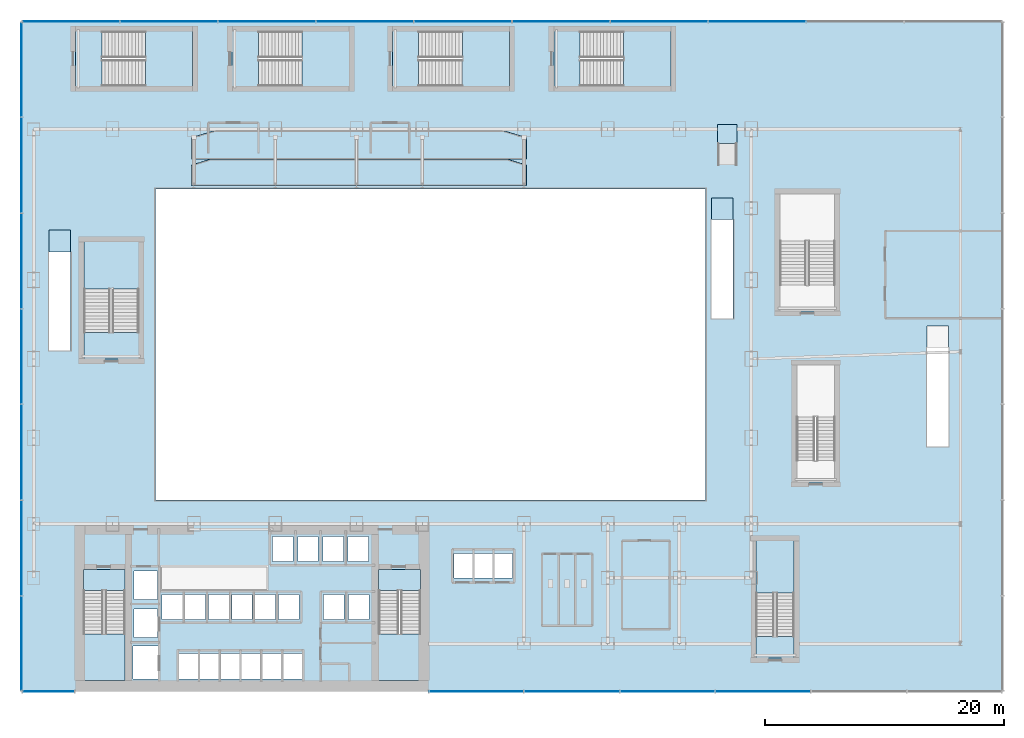
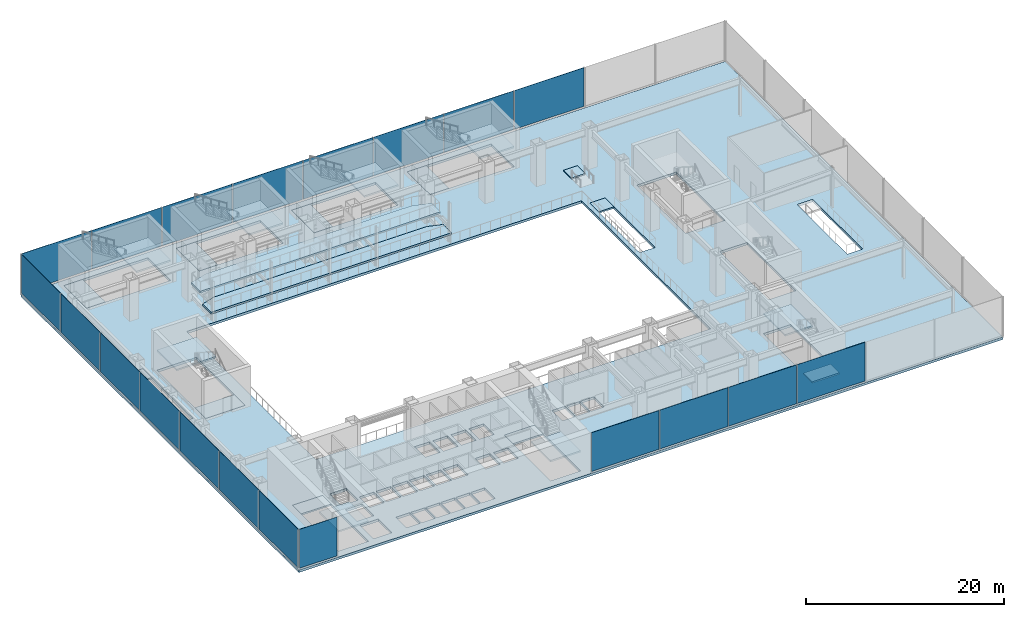
# One storey, part 27 of 39: 22 slabs, 20 plates, 13 elements without a shape of their own.
"""IFC4 building model written with IfcOpenShell, lengths in metres."""

from ifc_helpers import new_model, si_unit, derived_unit, direction, frame, origin, origin_2d, place, context, subcontext, project, spatial, polyline, rectangle, outline, extrude, source, transform, mapped, material, layer, layer_set, type_object, element, aggregate, save


model = new_model("IFC4")

# Units and contexts
model_context = context("Model", 3, precision=1e-05, world=origin(), true_north=direction((0.0, 1.0)))
body_context = subcontext(model_context, "Body", "Model", "MODEL_VIEW")
ifc_project = project(units=[si_unit("LENGTHUNIT", "METRE"), si_unit("AREAUNIT", "SQUARE_METRE"), si_unit("VOLUMEUNIT", "CUBIC_METRE"), si_unit("PLANEANGLEUNIT", "RADIAN"), si_unit("MASSUNIT", "GRAM", prefix="KILO"), derived_unit("THERMALTRANSMITTANCEUNIT", [(si_unit("POWERUNIT", "WATT"), 1), (si_unit("LENGTHUNIT", "METRE"), -2), (si_unit("THERMODYNAMICTEMPERATUREUNIT", "KELVIN"), -1)])], contexts=[model_context])

# Site, building, storey
site_placement = place(None, origin())
site = spatial("IfcSite", under=ifc_project, at=site_placement, CompositionType="ELEMENT")
building_placement = place(site_placement, origin())
building = spatial("IfcBuilding", under=site, at=building_placement, Name="Skarnbrae Concourse Arena and Tower", CompositionType="ELEMENT")
storey_placement = place(building_placement, frame((0.0, 0.0, 11.0)))
storey = spatial("IfcBuildingStorey", under=building, at=storey_placement, Name="L02", CompositionType="ELEMENT", Elevation=11.0)

# Stair, slab
ifc_material_1 = material(Name="Concrete 40 MPa (C40/50)", Category="concrete")
stair_type_1 = type_object("IfcStairType", Name="STAIR-DOGLEG-1650", PredefinedType="HALF_TURN_STAIR", material=ifc_material_1)
stair_1_placement = place(storey_placement, origin())
stair_1 = element("IfcStair", 1, at=stair_1_placement, inside=storey, type_object=stair_type_1, Name="L02 Protected Exit Stair ST-1", PredefinedType="HALF_TURN_STAIR")
ifc_layer_1 = layer(ifc_material_1, 0.199951171875)
ifc_layer_set_1 = layer_set([ifc_layer_1], Name="Concrete 40 MPa (C40/50)")
slab_type_1 = type_object("IfcSlabType", Name="SLAB-LANDING-200", PredefinedType="LANDING", material=ifc_layer_set_1)
slab_1_placement = place(storey_placement, frame((0.0, 0.0, 2.300048828125)))
slab_1 = element("IfcSlab", 2, at=slab_1_placement, type_object=slab_type_1, Name="ST-1 landing 1", PredefinedType="LANDING", context=body_context, shape_type="SweptSolid", body=[
    extrude(outline(polyline([(5.14990234375, 4.81005859375), (5.14990234375, 0.89990234375), (8.64990234375, 0.89990234375), (8.64990234375, 4.81005859375), (5.14990234375, 4.81005859375)])), origin(), (0.0, 0.0, 1.0), 0.199951171875),
])
aggregate(stair_1, [slab_1])

stair_2_placement = place(storey_placement, origin())
stair_2 = element("IfcStair", 3, at=stair_2_placement, inside=storey, type_object=stair_type_1, Name="L02 Protected Exit Stair ST-2", PredefinedType="HALF_TURN_STAIR")
slab_2_placement = place(storey_placement, frame((0.0, 0.0, 2.300048828125)))
slab_2 = element("IfcSlab", 4, at=slab_2_placement, type_object=slab_type_1, Name="ST-2 landing 1", PredefinedType="LANDING", context=body_context, shape_type="SweptSolid", body=[
    extrude(outline(polyline([(29.85009765625, 4.81005859375), (29.85009765625, 0.89990234375), (33.35009765625, 0.89990234375), (33.35009765625, 4.81005859375), (29.85009765625, 4.81005859375)])), origin(), (0.0, 0.0, 1.0), 0.199951171875),
])
aggregate(stair_2, [slab_2])

# Slabs
slab_3_placement = place(storey_placement, frame((0.0, 0.0, -0.199951171875)))
element("IfcSlab", 5, at=slab_3_placement, inside=storey, type_object=slab_type_1, Name="L02 Core stair ST1 floor landing", PredefinedType="LANDING", context=body_context, shape_type="SweptSolid", body=[
    extrude(outline(polyline([(5.14990234375, 10.199951171875), (5.14990234375, 8.449951171875), (8.64990234375, 8.449951171875), (8.64990234375, 10.199951171875), (5.14990234375, 10.199951171875)])), origin(), (0.0, 0.0, 1.0), 0.199951171875),
])
slab_4_placement = place(storey_placement, frame((0.0, 0.0, -0.199951171875)))
element("IfcSlab", 6, at=slab_4_placement, inside=storey, type_object=slab_type_1, Name="L02 Core stair ST2 floor landing", PredefinedType="LANDING", context=body_context, shape_type="SweptSolid", body=[
    extrude(outline(polyline([(29.85009765625, 10.199951171875), (29.85009765625, 8.449951171875), (33.35009765625, 8.449951171875), (33.35009765625, 10.199951171875), (29.85009765625, 10.199951171875)])), origin(), (0.0, 0.0, 1.0), 0.199951171875),
])
slab_5_placement = place(storey_placement, frame((0.0, 0.0, -0.199951171875)))
element("IfcSlab", 7, at=slab_5_placement, inside=storey, type_object=slab_type_1, Name="L02 Stair ST-A1 near floor landing", PredefinedType="LANDING", context=body_context, shape_type="SweptSolid", body=[
    extrude(outline(polyline([(64.60009765625, 2.800048828125), (64.60009765625, 4.60009765625), (61.39990234375, 4.60009765625), (61.39990234375, 2.800048828125), (64.60009765625, 2.800048828125)])), origin(), (0.0, 0.0, 1.0), 0.199951171875),
])

# Stair, slab
stair_type_2 = type_object("IfcStairType", Name="STAIR-DOGLEG-1500", PredefinedType="HALF_TURN_STAIR", material=ifc_material_1)
stair_3_placement = place(storey_placement, origin())
stair_3 = element("IfcStair", 8, at=stair_3_placement, inside=storey, type_object=stair_type_2, Name="L02 Arena Exit Stair ST-A1", PredefinedType="HALF_TURN_STAIR")
slab_6_placement = place(storey_placement, frame((0.0, 0.0, 2.300048828125)))
slab_6 = element("IfcSlab", 9, at=slab_6_placement, type_object=slab_type_1, Name="ST-A1 landing 1", PredefinedType="LANDING", context=body_context, shape_type="SweptSolid", body=[
    extrude(outline(polyline([(64.60009765625, 8.239990234375), (64.60009765625, 12.60009765625), (61.39990234375, 12.60009765625), (61.39990234375, 8.239990234375), (64.60009765625, 8.239990234375)])), origin(), (0.0, 0.0, 1.0), 0.199951171875),
])
aggregate(stair_3, [slab_6])

# Slab
slab_7_placement = place(storey_placement, frame((0.0, 0.0, -0.199951171875)))
element("IfcSlab", 10, at=slab_7_placement, inside=storey, type_object=slab_type_1, Name="L02 Stair ST-A3 near floor landing", PredefinedType="LANDING", context=body_context, shape_type="SweptSolid", body=[
    extrude(outline(polyline([(9.800048828125, 27.800048828125), (9.800048828125, 30.0), (5.199951171875, 30.0), (5.199951171875, 27.800048828125), (9.800048828125, 27.800048828125)])), origin(), (0.0, 0.0, 1.0), 0.199951171875),
])

# Stair, slab
stair_type_3 = type_object("IfcStairType", Name="STAIR-DOGLEG-2200", PredefinedType="HALF_TURN_STAIR", material=ifc_material_1)
stair_4_placement = place(storey_placement, origin())
stair_4 = element("IfcStair", 11, at=stair_4_placement, inside=storey, type_object=stair_type_3, Name="L02 Arena Exit Stair ST-A3", PredefinedType="HALF_TURN_STAIR")
slab_8_placement = place(storey_placement, frame((0.0, 0.0, 2.300048828125)))
slab_8 = element("IfcSlab", 12, at=slab_8_placement, type_object=slab_type_1, Name="ST-A3 landing 1", PredefinedType="LANDING", context=body_context, shape_type="SweptSolid", body=[
    extrude(outline(polyline([(9.800048828125, 33.639892578125), (9.800048828125, 37.60009765625), (5.199951171875, 37.60009765625), (5.199951171875, 33.639892578125), (9.800048828125, 33.639892578125)])), origin(), (0.0, 0.0, 1.0), 0.199951171875),
])
aggregate(stair_4, [slab_8])

# Slab
slab_9_placement = place(storey_placement, frame((0.0, 0.0, -0.199951171875)))
element("IfcSlab", 13, at=slab_9_placement, inside=storey, type_object=slab_type_1, Name="L02 Stair ST-A5 near floor landing", PredefinedType="LANDING", context=body_context, shape_type="SweptSolid", body=[
    extrude(outline(polyline([(4.5, 50.60009765625), (6.699951171875, 50.60009765625), (6.699951171875, 55.199951171875), (4.5, 55.199951171875), (4.5, 50.60009765625)])), origin(), (0.0, 0.0, 1.0), 0.199951171875),
])

# Stair, slab
stair_5_placement = place(storey_placement, origin())
stair_5 = element("IfcStair", 14, at=stair_5_placement, inside=storey, type_object=stair_type_3, Name="L02 Arena Exit Stair ST-A5", PredefinedType="HALF_TURN_STAIR")
slab_10_placement = place(storey_placement, frame((0.0, 0.0, 2.300048828125)))
slab_10 = element("IfcSlab", 15, at=slab_10_placement, type_object=slab_type_1, Name="ST-A5 landing 1", PredefinedType="LANDING", context=body_context, shape_type="SweptSolid", body=[
    extrude(outline(polyline([(10.340087890625, 50.60009765625), (14.300048828125, 50.60009765625), (14.300048828125, 55.199951171875), (10.340087890625, 55.199951171875), (10.340087890625, 50.60009765625)])), origin(), (0.0, 0.0, 1.0), 0.199951171875),
])
aggregate(stair_5, [slab_10])

# Slab
slab_11_placement = place(storey_placement, frame((0.0, 0.0, -0.199951171875)))
element("IfcSlab", 16, at=slab_11_placement, inside=storey, type_object=slab_type_1, Name="L02 Stair ST-A6 near floor landing", PredefinedType="LANDING", context=body_context, shape_type="SweptSolid", body=[
    extrude(outline(polyline([(17.60009765625, 50.60009765625), (19.800048828125, 50.60009765625), (19.800048828125, 55.199951171875), (17.60009765625, 55.199951171875), (17.60009765625, 50.60009765625)])), origin(), (0.0, 0.0, 1.0), 0.199951171875),
])

# Stair, slab
stair_6_placement = place(storey_placement, origin())
stair_6 = element("IfcStair", 17, at=stair_6_placement, inside=storey, type_object=stair_type_3, Name="L02 Arena Exit Stair ST-A6", PredefinedType="HALF_TURN_STAIR")
slab_12_placement = place(storey_placement, frame((0.0, 0.0, 2.300048828125)))
slab_12 = element("IfcSlab", 18, at=slab_12_placement, type_object=slab_type_1, Name="ST-A6 landing 1", PredefinedType="LANDING", context=body_context, shape_type="SweptSolid", body=[
    extrude(outline(polyline([(23.43994140625, 50.60009765625), (27.39990234375, 50.60009765625), (27.39990234375, 55.199951171875), (23.43994140625, 55.199951171875), (23.43994140625, 50.60009765625)])), origin(), (0.0, 0.0, 1.0), 0.199951171875),
])
aggregate(stair_6, [slab_12])

# Slab
slab_13_placement = place(storey_placement, frame((0.0, 0.0, -0.199951171875)))
element("IfcSlab", 19, at=slab_13_placement, inside=storey, type_object=slab_type_1, Name="L02 Stair ST-A7 near floor landing", PredefinedType="LANDING", context=body_context, shape_type="SweptSolid", body=[
    extrude(outline(polyline([(31.0, 50.60009765625), (33.199951171875, 50.60009765625), (33.199951171875, 55.199951171875), (31.0, 55.199951171875), (31.0, 50.60009765625)])), origin(), (0.0, 0.0, 1.0), 0.199951171875),
])

# Stair, slab
stair_7_placement = place(storey_placement, origin())
stair_7 = element("IfcStair", 20, at=stair_7_placement, inside=storey, type_object=stair_type_3, Name="L02 Arena Exit Stair ST-A7", PredefinedType="HALF_TURN_STAIR")
slab_14_placement = place(storey_placement, frame((0.0, 0.0, 2.300048828125)))
slab_14 = element("IfcSlab", 21, at=slab_14_placement, type_object=slab_type_1, Name="ST-A7 landing 1", PredefinedType="LANDING", context=body_context, shape_type="SweptSolid", body=[
    extrude(outline(polyline([(36.840087890625, 50.60009765625), (40.800048828125, 50.60009765625), (40.800048828125, 55.199951171875), (36.840087890625, 55.199951171875), (36.840087890625, 50.60009765625)])), origin(), (0.0, 0.0, 1.0), 0.199951171875),
])
aggregate(stair_7, [slab_14])

# Slab
slab_15_placement = place(storey_placement, frame((0.0, 0.0, -0.199951171875)))
element("IfcSlab", 22, at=slab_15_placement, inside=storey, type_object=slab_type_1, Name="L02 Stair ST-A8 near floor landing", PredefinedType="LANDING", context=body_context, shape_type="SweptSolid", body=[
    extrude(outline(polyline([(44.5, 50.60009765625), (46.699951171875, 50.60009765625), (46.699951171875, 55.199951171875), (44.5, 55.199951171875), (44.5, 50.60009765625)])), origin(), (0.0, 0.0, 1.0), 0.199951171875),
])

# Stair, slab
stair_8_placement = place(storey_placement, origin())
stair_8 = element("IfcStair", 23, at=stair_8_placement, inside=storey, type_object=stair_type_3, Name="L02 Arena Exit Stair ST-A8", PredefinedType="HALF_TURN_STAIR")
slab_16_placement = place(storey_placement, frame((0.0, 0.0, 2.300048828125)))
slab_16 = element("IfcSlab", 24, at=slab_16_placement, type_object=slab_type_1, Name="ST-A8 landing 1", PredefinedType="LANDING", context=body_context, shape_type="SweptSolid", body=[
    extrude(outline(polyline([(50.340087890625, 50.60009765625), (54.300048828125, 50.60009765625), (54.300048828125, 55.199951171875), (50.340087890625, 55.199951171875), (50.340087890625, 50.60009765625)])), origin(), (0.0, 0.0, 1.0), 0.199951171875),
])
aggregate(stair_8, [slab_16])

# Slabs
slab_17_placement = place(storey_placement, frame((0.0, 0.0, -0.199951171875)))
element("IfcSlab", 25, at=slab_17_placement, inside=storey, type_object=slab_type_1, Name="ST-CONC-2 L02 arrival landing", PredefinedType="LANDING", context=body_context, shape_type="SweptSolid", body=[
    extrude(outline(polyline([(2.300048828125, 36.760009765625), (4.10009765625, 36.760009765625), (4.10009765625, 38.56005859375), (2.300048828125, 38.56005859375), (2.300048828125, 36.760009765625)])), origin(), (0.0, 0.0, 1.0), 0.199951171875),
])
slab_18_placement = place(storey_placement, frame((0.0, 0.0, -0.199951171875)))
element("IfcSlab", 26, at=slab_18_placement, inside=storey, type_object=slab_type_1, Name="ST-CONC-3 L02 arrival landing", PredefinedType="LANDING", context=body_context, shape_type="SweptSolid", body=[
    extrude(outline(polyline([(57.699951171875, 39.4599609375), (59.5, 39.4599609375), (59.5, 41.260009765625), (57.699951171875, 41.260009765625), (57.699951171875, 39.4599609375)])), origin(), (0.0, 0.0, 1.0), 0.199951171875),
])

# Ramp, slab
ramp_type = type_object("IfcRampType", Name="RAMP-ACC-1600", PredefinedType="STRAIGHT_RUN_RAMP", material=ifc_material_1)
ramp_placement = place(storey_placement, origin())
ramp = element("IfcRamp", 27, at=ramp_placement, inside=storey, type_object=ramp_type, Name="L02 Barrier-free accessible ramp R-A03", PredefinedType="STRAIGHT_RUN_RAMP")
slab_19_placement = place(storey_placement, origin())
slab_19 = element("IfcSlab", 28, at=slab_19_placement, type_object=slab_type_1, Name="L02 Accessible ramp top landing", PredefinedType="LANDING", context=body_context, shape_type="SweptSolid", body=[
    extrude(outline(polyline([(58.199951171875, 45.800048828125), (59.800048828125, 45.800048828125), (59.800048828125, 47.39990234375), (58.199951171875, 47.39990234375), (58.199951171875, 45.800048828125)])), origin(), (0.0, 0.0, 1.0), 0.139892578125),
])
aggregate(ramp, [slab_19])

# Slabs
ifc_layer_2 = layer(ifc_material_1, 0.300048828125)
ifc_layer_set_2 = layer_set([ifc_layer_2], Name="Concrete 40 MPa (C40/50)")
slab_type_2 = type_object("IfcSlabType", Name="SLAB-PODIUM-300", PredefinedType="FLOOR", material=ifc_layer_set_2)
slab_20_placement = place(storey_placement, frame((0.0, 0.0, -0.300048828125)))
element("IfcSlab", 29, at=slab_20_placement, inside=storey, type_object=slab_type_2, Name="L02 Structural floor slab", PredefinedType="FLOOR", context=body_context, shape_type="SweptSolid", body=[
    extrude(outline(polyline([(0.0, 0.0), (82.0, 0.0), (82.0, 56.0), (0.0, 56.0), (0.0, 0.0)]), holes=[polyline([(21.715087890625, 3.155029296875), (21.715087890625, 1.044921875), (20.10498046875, 1.044921875), (20.10498046875, 3.155029296875), (21.715087890625, 3.155029296875)]), polyline([(19.97509765625, 3.155029296875), (19.97509765625, 1.044921875), (18.364990234375, 1.044921875), (18.364990234375, 3.155029296875), (19.97509765625, 3.155029296875)]), polyline([(14.7548828125, 3.155029296875), (14.7548828125, 1.044921875), (13.14501953125, 1.044921875), (13.14501953125, 3.155029296875), (14.7548828125, 3.155029296875)]), polyline([(18.235107421875, 3.155029296875), (18.235107421875, 1.044921875), (16.625, 1.044921875), (16.625, 3.155029296875), (18.235107421875, 3.155029296875)]), polyline([(16.4951171875, 3.155029296875), (16.4951171875, 1.044921875), (14.885009765625, 1.044921875), (14.885009765625, 3.155029296875), (16.4951171875, 3.155029296875)]), polyline([(11.455078125, 3.780029296875), (11.455078125, 1.02001953125), (9.294921875, 1.02001953125), (9.294921875, 3.780029296875), (11.455078125, 3.780029296875)]), polyline([(8.64990234375, 0.89990234375), (5.14990234375, 0.89990234375), (5.14990234375, 10.199951171875), (8.64990234375, 10.199951171875), (8.64990234375, 0.89990234375)]), polyline([(11.35498046875, 4.52001953125), (9.39501953125, 4.52001953125), (9.39501953125, 6.8798828125), (11.35498046875, 6.8798828125), (11.35498046875, 4.52001953125)]), polyline([(23.179931640625, 5.9951171875), (21.469970703125, 5.9951171875), (21.469970703125, 8.10498046875), (23.179931640625, 8.10498046875), (23.179931640625, 5.9951171875)]), polyline([(21.22998046875, 8.10498046875), (21.22998046875, 5.9951171875), (19.52001953125, 5.9951171875), (19.52001953125, 8.10498046875), (21.22998046875, 8.10498046875)]), polyline([(19.280029296875, 8.10498046875), (19.280029296875, 5.9951171875), (17.570068359375, 5.9951171875), (17.570068359375, 8.10498046875), (19.280029296875, 8.10498046875)]), polyline([(17.330078125, 8.10498046875), (17.330078125, 5.9951171875), (15.6201171875, 5.9951171875), (15.6201171875, 8.10498046875), (17.330078125, 8.10498046875)]), polyline([(15.3798828125, 5.9951171875), (13.669921875, 5.9951171875), (13.669921875, 8.10498046875), (15.3798828125, 8.10498046875), (15.3798828125, 5.9951171875)]), polyline([(13.429931640625, 5.9951171875), (11.719970703125, 5.9951171875), (11.719970703125, 8.10498046875), (13.429931640625, 8.10498046875), (13.429931640625, 5.9951171875)]), polyline([(11.35498046875, 10.054931640625), (11.35498046875, 7.695068359375), (9.39501953125, 7.695068359375), (9.39501953125, 10.054931640625), (11.35498046875, 10.054931640625)]), polyline([(22.695068359375, 12.955078125), (22.695068359375, 10.844970703125), (20.985107421875, 10.844970703125), (20.985107421875, 12.955078125), (22.695068359375, 12.955078125)]), polyline([(5.199951171875, 37.60009765625), (9.800048828125, 37.60009765625), (9.800048828125, 27.800048828125), (5.199951171875, 27.800048828125), (5.199951171875, 37.60009765625)]), polyline([(4.10009765625, 28.47998046875), (2.300048828125, 28.47998046875), (2.300048828125, 38.56005859375), (4.10009765625, 38.56005859375), (4.10009765625, 28.47998046875)]), polyline([(14.300048828125, 50.60009765625), (4.5, 50.60009765625), (4.5, 55.199951171875), (14.300048828125, 55.199951171875), (14.300048828125, 50.60009765625)]), polyline([(23.455078125, 3.155029296875), (23.455078125, 1.044921875), (21.844970703125, 1.044921875), (21.844970703125, 3.155029296875), (23.455078125, 3.155029296875)]), polyline([(33.35009765625, 0.89990234375), (29.85009765625, 0.89990234375), (29.85009765625, 10.199951171875), (33.35009765625, 10.199951171875), (33.35009765625, 0.89990234375)]), polyline([(26.945068359375, 8.10498046875), (26.945068359375, 5.9951171875), (25.235107421875, 5.9951171875), (25.235107421875, 8.10498046875), (26.945068359375, 8.10498046875)]), polyline([(29.044921875, 8.10498046875), (29.044921875, 5.9951171875), (27.3349609375, 5.9951171875), (27.3349609375, 8.10498046875), (29.044921875, 8.10498046875)]), polyline([(61.39990234375, 12.60009765625), (64.60009765625, 12.60009765625), (64.60009765625, 2.800048828125), (61.39990234375, 2.800048828125), (61.39990234375, 12.60009765625)]), polyline([(37.679931640625, 11.530029296875), (37.679931640625, 9.469970703125), (36.159912109375, 9.469970703125), (36.159912109375, 11.530029296875), (37.679931640625, 11.530029296875)]), polyline([(39.360107421875, 11.530029296875), (39.360107421875, 9.469970703125), (37.840087890625, 9.469970703125), (37.840087890625, 11.530029296875), (39.360107421875, 11.530029296875)]), polyline([(41.0400390625, 9.469970703125), (39.52001953125, 9.469970703125), (39.52001953125, 11.530029296875), (41.0400390625, 11.530029296875), (41.0400390625, 9.469970703125)]), polyline([(24.794921875, 10.844970703125), (23.0849609375, 10.844970703125), (23.0849609375, 12.955078125), (24.794921875, 12.955078125), (24.794921875, 10.844970703125)]), polyline([(26.89501953125, 12.955078125), (26.89501953125, 10.844970703125), (25.18505859375, 10.844970703125), (25.18505859375, 12.955078125), (26.89501953125, 12.955078125)]), polyline([(28.9951171875, 12.955078125), (28.9951171875, 10.844970703125), (27.284912109375, 10.844970703125), (27.284912109375, 12.955078125), (28.9951171875, 12.955078125)]), polyline([(64.800048828125, 27.300048828125), (68.0, 27.300048828125), (68.0, 17.5), (64.800048828125, 17.5), (64.800048828125, 27.300048828125)]), polyline([(77.5, 20.47998046875), (75.699951171875, 20.47998046875), (75.699951171875, 30.56005859375), (77.5, 30.56005859375), (77.5, 20.47998046875)]), polyline([(57.199951171875, 16.0), (11.199951171875, 16.0), (11.199951171875, 42.0), (57.199951171875, 42.0), (57.199951171875, 16.0)]), polyline([(59.5, 41.260009765625), (59.5, 31.179931640625), (57.699951171875, 31.179931640625), (57.699951171875, 41.260009765625), (59.5, 41.260009765625)]), polyline([(63.39990234375, 41.60009765625), (68.0, 41.60009765625), (68.0, 31.800048828125), (63.39990234375, 31.800048828125), (63.39990234375, 41.60009765625)]), polyline([(54.300048828125, 55.199951171875), (54.300048828125, 50.60009765625), (44.5, 50.60009765625), (44.5, 55.199951171875), (54.300048828125, 55.199951171875)]), polyline([(40.800048828125, 50.60009765625), (31.0, 50.60009765625), (31.0, 55.199951171875), (40.800048828125, 55.199951171875), (40.800048828125, 50.60009765625)]), polyline([(27.39990234375, 50.60009765625), (17.60009765625, 50.60009765625), (17.60009765625, 55.199951171875), (27.39990234375, 55.199951171875), (27.39990234375, 50.60009765625)])]), origin(), (0.0, 0.0, 1.0), 0.300048828125),
])
ifc_layer_3 = layer(ifc_material_1, 0.219970703125)
ifc_layer_set_3 = layer_set([ifc_layer_3], Name="Concrete 40 MPa (C40/50)")
slab_type_3 = type_object("IfcSlabType", Name="SLAB-SEATING-TIER-220", PredefinedType="USERDEFINED", material=ifc_layer_set_3)
slab_21_placement = place(storey_placement, frame((0.0, 0.0, 0.89990234375)))
element("IfcSlab", 30, at=slab_21_placement, inside=storey, type_object=slab_type_3, Name="L02 Arena seating tier lower terrace", ObjectType="SEATING TIER", PredefinedType="USERDEFINED", context=body_context, shape_type="SweptSolid", body=[
    extrude(outline(polyline([(14.199951171875, 42.300048828125), (42.199951171875, 42.300048828125), (42.199951171875, 44.0), (40.60009765625, 44.5), (15.800048828125, 44.5), (14.199951171875, 44.0), (14.199951171875, 42.300048828125)])), origin(), (0.0, 0.0, 1.0), 0.22021484375),
])
slab_22_placement = place(storey_placement, frame((0.0, 0.0, 2.14990234375)))
element("IfcSlab", 31, at=slab_22_placement, inside=storey, type_object=slab_type_3, Name="L02 Arena seating tier upper terrace", ObjectType="SEATING TIER", PredefinedType="USERDEFINED", context=body_context, shape_type="SweptSolid", body=[
    extrude(outline(polyline([(14.199951171875, 44.5), (42.199951171875, 44.5), (42.199951171875, 46.300048828125), (40.199951171875, 46.89990234375), (16.199951171875, 46.89990234375), (14.199951171875, 46.300048828125), (14.199951171875, 44.5)])), origin(), (0.0, 0.0, 1.0), 0.22021484375),
])

# Curtain wall, plate
ifc_material_2 = material(Name="Bronze anodised aluminium 6063-T6", Category="aluminium")
curtain_wall_type = type_object("IfcCurtainWallType", Name="CW-SYS-01-PODIUM", PredefinedType="USERDEFINED", material=ifc_material_2)
curtain_wall_1_placement = place(storey_placement, origin())
curtain_wall_1 = element("IfcCurtainWall", 32, at=curtain_wall_1_placement, inside=storey, type_object=curtain_wall_type, Name="L02 Unitised curtain wall CW-L02-SE", ObjectType="UNITISED CURTAIN WALL", PredefinedType="USERDEFINED")
ifc_material_3 = material(Name="Low-E triple insulating glass", Category="glass")
ifc_layer_4 = layer(ifc_material_3, 0.035888671875)
ifc_layer_set_4 = layer_set([ifc_layer_4], Name="Low-E triple insulating glass")
plate_type = type_object("IfcPlateType", Name="CWP-CW-01", PredefinedType="CURTAIN_PANEL", material=ifc_layer_set_4)
shared_shape_1 = source(origin(), body_context, "Body", "SweptSolid", [
    extrude(rectangle(XDim=7.87255859375, YDim=0.035888671875, at=origin_2d()), origin(), (0.0, 0.0, 1.0), 4.780029296875),
])
plate_1_placement = place(storey_placement, frame((38.021240234375, 0.0, 0.22021484375), z_axis=(0.0, 0.0, 1.0), x_axis=(1.0, 0.0, 0.0)))
plate_1 = element("IfcPlate", 33, at=plate_1_placement, type_object=plate_type, Name="CW-L02-SE Low-E Glazing Panel 1", PredefinedType="CURTAIN_PANEL", context=body_context, shape_type="MappedRepresentation", body=[
    mapped(shared_shape_1, transform((0.0, 0.0, 0.0))),
])

# Curtain wall, plates
curtain_wall_2_placement = place(storey_placement, origin())
curtain_wall_2 = element("IfcCurtainWall", 34, at=curtain_wall_2_placement, inside=storey, type_object=curtain_wall_type, Name="L02 Unitised curtain wall CW-L02-W", ObjectType="UNITISED CURTAIN WALL", PredefinedType="USERDEFINED")
plate_2_placement = place(storey_placement, frame((0.0, 51.978759765625, 0.22021484375), z_axis=(0.0, 0.0, 1.0), x_axis=(0.0, -1.0, 0.0)))
plate_2 = element("IfcPlate", 35, at=plate_2_placement, type_object=plate_type, Name="CW-L02-W Low-E Glazing Panel 1", PredefinedType="CURTAIN_PANEL", context=body_context, shape_type="MappedRepresentation", body=[
    mapped(shared_shape_1, transform((0.0, 0.0, 0.0))),
])
plate_3_placement = place(storey_placement, frame((0.0, 4.021240234375, 0.22021484375), z_axis=(0.0, 0.0, 1.0), x_axis=(0.0, -1.0, 0.0)))
plate_3 = element("IfcPlate", 36, at=plate_3_placement, type_object=plate_type, Name="CW-L02-W Low-E Glazing Panel 7", PredefinedType="CURTAIN_PANEL", context=body_context, shape_type="MappedRepresentation", body=[
    mapped(shared_shape_1, transform((0.0, 0.0, 0.0))),
])

# Plate
shared_shape_2 = source(origin(), body_context, "Body", "SweptSolid", [
    extrude(rectangle(XDim=7.9150390625, YDim=0.035888671875, at=origin_2d()), origin(), (0.0, 0.0, 1.0), 4.780029296875),
])
plate_4_placement = place(storey_placement, frame((46.0, 0.0, 0.22021484375), z_axis=(0.0, 0.0, 1.0), x_axis=(1.0, 0.0, 0.0)))
plate_4 = element("IfcPlate", 37, at=plate_4_placement, type_object=plate_type, Name="CW-L02-SE Low-E Glazing Panel 2", PredefinedType="CURTAIN_PANEL", context=body_context, shape_type="MappedRepresentation", body=[
    mapped(shared_shape_2, transform((0.0, 0.0, 0.0))),
])

plate_5_placement = place(storey_placement, frame((54.0, 0.0, 0.22021484375), z_axis=(0.0, 0.0, 1.0), x_axis=(1.0, 0.0, 0.0)))
plate_5 = element("IfcPlate", 38, at=plate_5_placement, type_object=plate_type, Name="CW-L02-SE Low-E Glazing Panel 3", PredefinedType="CURTAIN_PANEL", context=body_context, shape_type="MappedRepresentation", body=[
    mapped(shared_shape_2, transform((0.0, 0.0, 0.0))),
])

plate_6_placement = place(storey_placement, frame((62.0, 0.0, 0.22021484375), z_axis=(0.0, 0.0, 1.0), x_axis=(1.0, 0.0, 0.0)))
plate_6 = element("IfcPlate", 39, at=plate_6_placement, type_object=plate_type, Name="CW-L02-SE Low-E Glazing Panel 4", PredefinedType="CURTAIN_PANEL", context=body_context, shape_type="MappedRepresentation", body=[
    mapped(shared_shape_2, transform((0.0, 0.0, 0.0))),
])

aggregate(curtain_wall_1, [plate_1, plate_4, plate_5, plate_6])

plate_7_placement = place(storey_placement, frame((0.0, 44.0, 0.22021484375), z_axis=(0.0, 0.0, 1.0), x_axis=(0.0, -1.0, 0.0)))
plate_7 = element("IfcPlate", 40, at=plate_7_placement, type_object=plate_type, Name="CW-L02-W Low-E Glazing Panel 2", PredefinedType="CURTAIN_PANEL", context=body_context, shape_type="MappedRepresentation", body=[
    mapped(shared_shape_2, transform((0.0, 0.0, 0.0))),
])

plate_8_placement = place(storey_placement, frame((0.0, 36.0, 0.22021484375), z_axis=(0.0, 0.0, 1.0), x_axis=(0.0, -1.0, 0.0)))
plate_8 = element("IfcPlate", 41, at=plate_8_placement, type_object=plate_type, Name="CW-L02-W Low-E Glazing Panel 3", PredefinedType="CURTAIN_PANEL", context=body_context, shape_type="MappedRepresentation", body=[
    mapped(shared_shape_2, transform((0.0, 0.0, 0.0))),
])

plate_9_placement = place(storey_placement, frame((0.0, 28.0, 0.22021484375), z_axis=(0.0, 0.0, 1.0), x_axis=(0.0, -1.0, 0.0)))
plate_9 = element("IfcPlate", 42, at=plate_9_placement, type_object=plate_type, Name="CW-L02-W Low-E Glazing Panel 4", PredefinedType="CURTAIN_PANEL", context=body_context, shape_type="MappedRepresentation", body=[
    mapped(shared_shape_2, transform((0.0, 0.0, 0.0))),
])

plate_10_placement = place(storey_placement, frame((0.0, 20.0, 0.22021484375), z_axis=(0.0, 0.0, 1.0), x_axis=(0.0, -1.0, 0.0)))
plate_10 = element("IfcPlate", 43, at=plate_10_placement, type_object=plate_type, Name="CW-L02-W Low-E Glazing Panel 5", PredefinedType="CURTAIN_PANEL", context=body_context, shape_type="MappedRepresentation", body=[
    mapped(shared_shape_2, transform((0.0, 0.0, 0.0))),
])

plate_11_placement = place(storey_placement, frame((0.0, 12.0, 0.22021484375), z_axis=(0.0, 0.0, 1.0), x_axis=(0.0, -1.0, 0.0)))
plate_11 = element("IfcPlate", 44, at=plate_11_placement, type_object=plate_type, Name="CW-L02-W Low-E Glazing Panel 6", PredefinedType="CURTAIN_PANEL", context=body_context, shape_type="MappedRepresentation", body=[
    mapped(shared_shape_2, transform((0.0, 0.0, 0.0))),
])

aggregate(curtain_wall_2, [plate_2, plate_7, plate_8, plate_9, plate_10, plate_11, plate_3])

# Curtain wall, plate
curtain_wall_3_placement = place(storey_placement, origin())
curtain_wall_3 = element("IfcCurtainWall", 45, at=curtain_wall_3_placement, inside=storey, type_object=curtain_wall_type, Name="L02 Unitised curtain wall CW-L02-SW", ObjectType="UNITISED CURTAIN WALL", PredefinedType="USERDEFINED")
shared_shape_3 = source(origin(), body_context, "Body", "SweptSolid", [
    extrude(rectangle(XDim=4.330078125, YDim=0.035888671875, at=origin_2d()), origin(), (0.0, 0.0, 1.0), 4.780029296875),
])
plate_12_placement = place(storey_placement, frame((2.25, 0.0, 0.22021484375), z_axis=(0.0, 0.0, 1.0), x_axis=(1.0, 0.0, 0.0)))
plate_12 = element("IfcPlate", 46, at=plate_12_placement, type_object=plate_type, Name="CW-L02-SW Low-E Glazing Panel 1", PredefinedType="CURTAIN_PANEL", context=body_context, shape_type="MappedRepresentation", body=[
    mapped(shared_shape_3, transform((0.0, 0.0, 0.0))),
])
aggregate(curtain_wall_3, [plate_12])

# Curtain wall, plates
curtain_wall_4_placement = place(storey_placement, origin())
curtain_wall_4 = element("IfcCurtainWall", 47, at=curtain_wall_4_placement, inside=storey, type_object=curtain_wall_type, Name="L02 Unitised curtain wall CW-L02-N", ObjectType="UNITISED CURTAIN WALL", PredefinedType="USERDEFINED")
shared_shape_4 = source(origin(), body_context, "Body", "SweptSolid", [
    extrude(rectangle(XDim=8.072509765625, YDim=0.035888671875, at=origin_2d()), origin(), (0.0, 0.0, 1.0), 4.780029296875),
])
plate_13_placement = place(storey_placement, frame((4.121337890625, 56.0, 0.22021484375), z_axis=(0.0, 0.0, 1.0), x_axis=(-1.0, 0.0, 0.0)))
plate_13 = element("IfcPlate", 48, at=plate_13_placement, type_object=plate_type, Name="CW-L02-N Low-E Glazing Panel 10", PredefinedType="CURTAIN_PANEL", context=body_context, shape_type="MappedRepresentation", body=[
    mapped(shared_shape_4, transform((0.0, 0.0, 0.0))),
])
shared_shape_5 = source(origin(), body_context, "Body", "SweptSolid", [
    extrude(rectangle(XDim=8.114990234375, YDim=0.035888671875, at=origin_2d()), origin(), (0.0, 0.0, 1.0), 4.780029296875),
])
plate_14_placement = place(storey_placement, frame((61.5, 56.0, 0.22021484375), z_axis=(0.0, 0.0, 1.0), x_axis=(-1.0, 0.0, 0.0)))
plate_14 = element("IfcPlate", 49, at=plate_14_placement, type_object=plate_type, Name="CW-L02-N Low-E Glazing Panel 3", PredefinedType="CURTAIN_PANEL", context=body_context, shape_type="MappedRepresentation", body=[
    mapped(shared_shape_5, transform((0.0, 0.0, 0.0))),
])
plate_15_placement = place(storey_placement, frame((53.300048828125, 56.0, 0.22021484375), z_axis=(0.0, 0.0, 1.0), x_axis=(-1.0, 0.0, 0.0)))
plate_15 = element("IfcPlate", 50, at=plate_15_placement, type_object=plate_type, Name="CW-L02-N Low-E Glazing Panel 4", PredefinedType="CURTAIN_PANEL", context=body_context, shape_type="MappedRepresentation", body=[
    mapped(shared_shape_5, transform((0.0, 0.0, 0.0))),
])
plate_16_placement = place(storey_placement, frame((45.10009765625, 56.0, 0.22021484375), z_axis=(0.0, 0.0, 1.0), x_axis=(-1.0, 0.0, 0.0)))
plate_16 = element("IfcPlate", 51, at=plate_16_placement, type_object=plate_type, Name="CW-L02-N Low-E Glazing Panel 5", PredefinedType="CURTAIN_PANEL", context=body_context, shape_type="MappedRepresentation", body=[
    mapped(shared_shape_5, transform((0.0, 0.0, 0.0))),
])
plate_17_placement = place(storey_placement, frame((36.89990234375, 56.0, 0.22021484375), z_axis=(0.0, 0.0, 1.0), x_axis=(-1.0, 0.0, 0.0)))
plate_17 = element("IfcPlate", 52, at=plate_17_placement, type_object=plate_type, Name="CW-L02-N Low-E Glazing Panel 6", PredefinedType="CURTAIN_PANEL", context=body_context, shape_type="MappedRepresentation", body=[
    mapped(shared_shape_5, transform((0.0, 0.0, 0.0))),
])
plate_18_placement = place(storey_placement, frame((28.699951171875, 56.0, 0.22021484375), z_axis=(0.0, 0.0, 1.0), x_axis=(-1.0, 0.0, 0.0)))
plate_18 = element("IfcPlate", 53, at=plate_18_placement, type_object=plate_type, Name="CW-L02-N Low-E Glazing Panel 7", PredefinedType="CURTAIN_PANEL", context=body_context, shape_type="MappedRepresentation", body=[
    mapped(shared_shape_5, transform((0.0, 0.0, 0.0))),
])
plate_19_placement = place(storey_placement, frame((20.5, 56.0, 0.22021484375), z_axis=(0.0, 0.0, 1.0), x_axis=(-1.0, 0.0, 0.0)))
plate_19 = element("IfcPlate", 54, at=plate_19_placement, type_object=plate_type, Name="CW-L02-N Low-E Glazing Panel 8", PredefinedType="CURTAIN_PANEL", context=body_context, shape_type="MappedRepresentation", body=[
    mapped(shared_shape_5, transform((0.0, 0.0, 0.0))),
])
plate_20_placement = place(storey_placement, frame((12.300048828125, 56.0, 0.22021484375), z_axis=(0.0, 0.0, 1.0), x_axis=(-1.0, 0.0, 0.0)))
plate_20 = element("IfcPlate", 55, at=plate_20_placement, type_object=plate_type, Name="CW-L02-N Low-E Glazing Panel 9", PredefinedType="CURTAIN_PANEL", context=body_context, shape_type="MappedRepresentation", body=[
    mapped(shared_shape_5, transform((0.0, 0.0, 0.0))),
])
aggregate(curtain_wall_4, [plate_14, plate_15, plate_16, plate_17, plate_18, plate_19, plate_20, plate_13])

save(model, "model.ifc")
